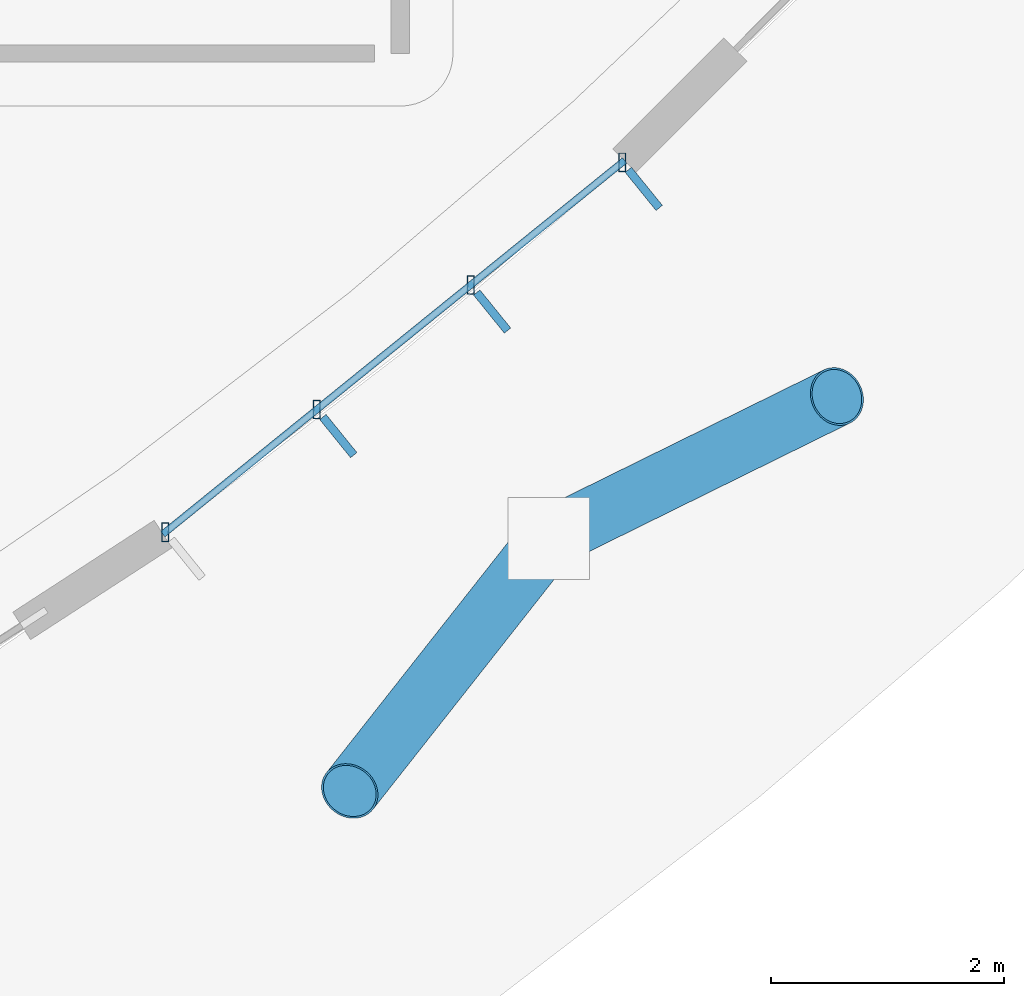
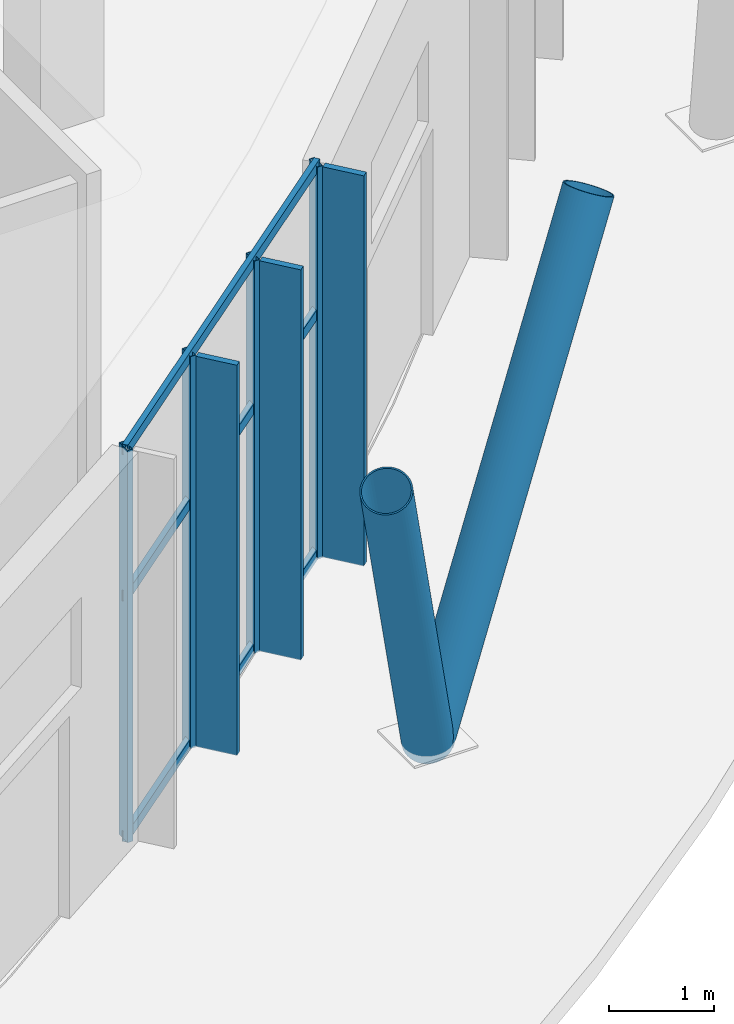
# One storey, part 71 of 151: 12 members, 1 element without a shape of its own.
"""IFC4 building model written with IfcOpenShell, lengths in metres."""

from ifc_helpers import new_model, si_unit, direction, frame, origin, origin_2d, place, context, subcontext, project, spatial, rectangle, hollow_rectangle, hollow_circle, extrude, material, material_profile, profile_set, type_object, element, aggregate, save


model = new_model("IFC4")

# Units and contexts
model_context = context("Model", 3, precision=1e-05, world=origin(), true_north=direction((0.0, 1.0)))
body_context = subcontext(model_context, "Body", "Model", "MODEL_VIEW")
ifc_project = project(units=[si_unit("LENGTHUNIT", "METRE"), si_unit("AREAUNIT", "SQUARE_METRE"), si_unit("VOLUMEUNIT", "CUBIC_METRE"), si_unit("PLANEANGLEUNIT", "RADIAN"), si_unit("MASSUNIT", "GRAM", prefix="KILO")], contexts=[model_context])

# Site, building, storey
site_placement = place(None, origin())
site = spatial("IfcSite", under=ifc_project, at=site_placement, CompositionType="ELEMENT")
building_placement = place(site_placement, origin())
building = spatial("IfcBuilding", under=site, at=building_placement, Name="Chiffa Square Polytechnic", CompositionType="ELEMENT")
storey_placement = place(building_placement, origin())
storey = spatial("IfcBuildingStorey", under=building, at=storey_placement, Name="L00", CompositionType="ELEMENT", Elevation=0.0)

# Members
ifc_material_1 = material(Name="Steel S355", Category="steel")
ifc_material_profile_1 = material_profile(ifc_material_1, hollow_circle(Radius=0.25390625, WallThickness=0.01611328125, at=origin_2d()), Name="CHS 508x16")
ifc_profile_set_1 = profile_set([ifc_material_profile_1], Name="Steel S355")
member_type_1 = type_object("IfcMemberType", Name="COL-VSTRUT-508", PredefinedType="STRUT", material=ifc_profile_set_1)
for number, where, z_axis, x_axis, name in (
    (1, (155.070068359375, 17.993896484375, 0.0), (-0.307947342872, -0.390846061676, 0.867414428108), (0.785483835479, -0.618882173117, 0.0), "Prow steel V-strut CV-V1-L00-05L"),
    (2, (155.070068359375, 17.993896484375, 0.0), (0.446346463676, 0.219930525, 0.867413049554), (-0.441992525791, 0.897018732884, 0.0), "Prow steel V-strut CV-V1-L00-05R"),
):
    element("IfcMember", number, at=place(storey_placement, frame(where, z_axis=z_axis, x_axis=x_axis)), inside=storey, type_object=member_type_1, Name=name, PredefinedType="STRUT", context=body_context, shape_type="SweptSolid", body=[
        extrude(hollow_circle(Radius=0.25390625, WallThickness=0.01611328125, at=origin_2d()), origin(), (0.0, 0.0, 1.0), 5.53369140625),
    ])

# Curtain wall, members
ifc_material_2 = material(Name="Aluminium EN AW-6060 T66 and glulam shading", Category="wood")
curtain_wall_type = type_object("IfcCurtainWallType", Name="CW-VERT-360X380", PredefinedType="USERDEFINED", material=ifc_material_2)
curtain_wall_placement = place(storey_placement, origin())
curtain_wall = element("IfcCurtainWall", 3, at=curtain_wall_placement, inside=storey, type_object=curtain_wall_type, Name="Curtain wall CW-V1-L00-005", ObjectType="CURTAIN WALL", PredefinedType="USERDEFINED")
ifc_material_3 = material(Name="Aluminium EN AW-6060 T66", Category="aluminium")
ifc_material_profile_2 = material_profile(ifc_material_3, hollow_rectangle(XDim=0.06005859375, YDim=0.159912109375, WallThickness=0.00390625, at=origin_2d()), Name="ALU 60x160x4")
ifc_profile_set_2 = profile_set([ifc_material_profile_2], Name="Aluminium EN AW-6060 T66")
member_type_2 = type_object("IfcMemberType", Name="CWM-ALU-65X150", PredefinedType="MULLION", material=ifc_profile_set_2)
member_1_placement = place(storey_placement, frame((151.784912109375, 18.048095703125, -0.02001953125), z_axis=(0.0, 0.0, 1.0), x_axis=(1.0, 0.0, 0.0)))
member_1 = element("IfcMember", 4, at=member_1_placement, type_object=member_type_2, Name="Curtain wall mullion CW-V1-L00-005-M00", PredefinedType="MULLION", context=body_context, shape_type="SweptSolid", body=[
    extrude(hollow_rectangle(XDim=0.06005859375, YDim=0.159912109375, WallThickness=0.00390625, at=origin_2d()), origin(), (0.0, 0.0, 1.0), 4.554931640625),
])
member_2_placement = place(storey_placement, frame((153.083984375, 19.09912109375, -0.02001953125), z_axis=(0.0, 0.0, 1.0), x_axis=(1.0, 0.0, 0.0)))
member_2 = element("IfcMember", 5, at=member_2_placement, type_object=member_type_2, Name="Curtain wall mullion CW-V1-L00-005-M01", PredefinedType="MULLION", context=body_context, shape_type="SweptSolid", body=[
    extrude(hollow_rectangle(XDim=0.06005859375, YDim=0.159912109375, WallThickness=0.00390625, at=origin_2d()), origin(), (0.0, 0.0, 1.0), 4.554931640625),
])
member_3_placement = place(storey_placement, frame((154.402099609375, 20.166015625, -0.02001953125), z_axis=(0.0, 0.0, 1.0), x_axis=(1.0, 0.0, 0.0)))
member_3 = element("IfcMember", 6, at=member_3_placement, type_object=member_type_2, Name="Curtain wall mullion CW-V1-L00-005-M02", PredefinedType="MULLION", context=body_context, shape_type="SweptSolid", body=[
    extrude(hollow_rectangle(XDim=0.06005859375, YDim=0.159912109375, WallThickness=0.00390625, at=origin_2d()), origin(), (0.0, 0.0, 1.0), 4.554931640625),
])
member_4_placement = place(storey_placement, frame((155.700927734375, 21.217041015625, -0.02001953125), z_axis=(0.0, 0.0, 1.0), x_axis=(1.0, 0.0, 0.0)))
member_4 = element("IfcMember", 7, at=member_4_placement, type_object=member_type_2, Name="Curtain wall mullion CW-V1-L00-005-M03", PredefinedType="MULLION", context=body_context, shape_type="SweptSolid", body=[
    extrude(hollow_rectangle(XDim=0.06005859375, YDim=0.159912109375, WallThickness=0.00390625, at=origin_2d()), origin(), (0.0, 0.0, 1.0), 4.554931640625),
])
ifc_material_4 = material(Name="Glulam GL28h", Category="wood")
ifc_material_profile_3 = material_profile(ifc_material_4, rectangle(XDim=0.070068359375, YDim=0.419921875, at=origin_2d()), Name="GL28h 70x420")
ifc_profile_set_3 = profile_set([ifc_material_profile_3], Name="Glulam GL28h")
member_type_3 = type_object("IfcMemberType", Name="CWM-GL-70X420", PredefinedType="MULLION", material=ifc_profile_set_3)
member_5_placement = place(storey_placement, frame((153.26806640625, 18.8720703125, -0.010009765625), z_axis=(0.0, 0.0, 1.0), x_axis=(0.777233823584, 0.629211874869, 0.0)))
member_5 = element("IfcMember", 8, at=member_5_placement, type_object=member_type_3, Name="Exterior glulam solar fin CW-V1-L00-005-FN01", PredefinedType="MULLION", context=body_context, shape_type="SweptSolid", body=[
    extrude(rectangle(XDim=0.070068359375, YDim=0.419921875, at=origin_2d()), origin(), (0.0, 0.0, 1.0), 4.534912109375),
])
member_6_placement = place(storey_placement, frame((154.5859375, 19.93896484375, -0.010009765625), z_axis=(0.0, 0.0, 1.0), x_axis=(0.777233823584, 0.629211874869, 0.0)))
member_6 = element("IfcMember", 9, at=member_6_placement, type_object=member_type_3, Name="Exterior glulam solar fin CW-V1-L00-005-FN02", PredefinedType="MULLION", context=body_context, shape_type="SweptSolid", body=[
    extrude(rectangle(XDim=0.070068359375, YDim=0.419921875, at=origin_2d()), origin(), (0.0, 0.0, 1.0), 4.534912109375),
])
member_7_placement = place(storey_placement, frame((155.885009765625, 20.989990234375, -0.010009765625), z_axis=(0.0, 0.0, 1.0), x_axis=(0.777233823584, 0.629211874869, 0.0)))
member_7 = element("IfcMember", 10, at=member_7_placement, type_object=member_type_3, Name="Exterior glulam solar fin CW-V1-L00-005-FN03", PredefinedType="MULLION", context=body_context, shape_type="SweptSolid", body=[
    extrude(rectangle(XDim=0.070068359375, YDim=0.419921875, at=origin_2d()), origin(), (0.0, 0.0, 1.0), 4.534912109375),
])
ifc_material_profile_4 = material_profile(ifc_material_3, hollow_rectangle(XDim=0.06005859375, YDim=0.1201171875, WallThickness=0.00390625, at=origin_2d()), Name="ALU 60x120x4")
ifc_profile_set_4 = profile_set([ifc_material_profile_4], Name="Aluminium EN AW-6060 T66")
member_type_4 = type_object("IfcMemberType", Name="CWT-ALU-65X120", PredefinedType="USERDEFINED", material=ifc_profile_set_4)
member_8_placement = place(storey_placement, frame((151.763916015625, 18.031005859375, 0.010009765625), z_axis=(0.777362104319, 0.629053383084, 0.0), x_axis=(-0.629053383084, 0.777362104319, 0.0)))
member_8 = element("IfcMember", 11, at=member_8_placement, type_object=member_type_4, Name="Curtain wall transom CW-V1-L00-005-T01", ObjectType="TRANSOM", PredefinedType="USERDEFINED", context=body_context, shape_type="SweptSolid", body=[
    extrude(hollow_rectangle(XDim=0.06005859375, YDim=0.1201171875, WallThickness=0.00390625, at=origin_2d()), origin(), (0.0, 0.0, 1.0), 5.091552734375),
])
member_9_placement = place(storey_placement, frame((151.763916015625, 18.031005859375, 2.803955078125), z_axis=(0.777362104319, 0.629053383084, 0.0), x_axis=(-0.629053383084, 0.777362104319, 0.0)))
member_9 = element("IfcMember", 12, at=member_9_placement, type_object=member_type_4, Name="Curtain wall transom CW-V1-L00-005-T02", ObjectType="TRANSOM", PredefinedType="USERDEFINED", context=body_context, shape_type="SweptSolid", body=[
    extrude(hollow_rectangle(XDim=0.06005859375, YDim=0.1201171875, WallThickness=0.00390625, at=origin_2d()), origin(), (0.0, 0.0, 1.0), 5.091552734375),
])
member_10_placement = place(storey_placement, frame((151.763916015625, 18.031005859375, 4.5048828125), z_axis=(0.777362104319, 0.629053383084, 0.0), x_axis=(-0.629053383084, 0.777362104319, 0.0)))
member_10 = element("IfcMember", 13, at=member_10_placement, type_object=member_type_4, Name="Curtain wall transom CW-V1-L00-005-T03", ObjectType="TRANSOM", PredefinedType="USERDEFINED", context=body_context, shape_type="SweptSolid", body=[
    extrude(hollow_rectangle(XDim=0.06005859375, YDim=0.1201171875, WallThickness=0.00390625, at=origin_2d()), origin(), (0.0, 0.0, 1.0), 5.091552734375),
])
aggregate(curtain_wall, [member_1, member_2, member_5, member_3, member_6, member_4, member_7, member_8, member_9, member_10])

save(model, "model.ifc")
